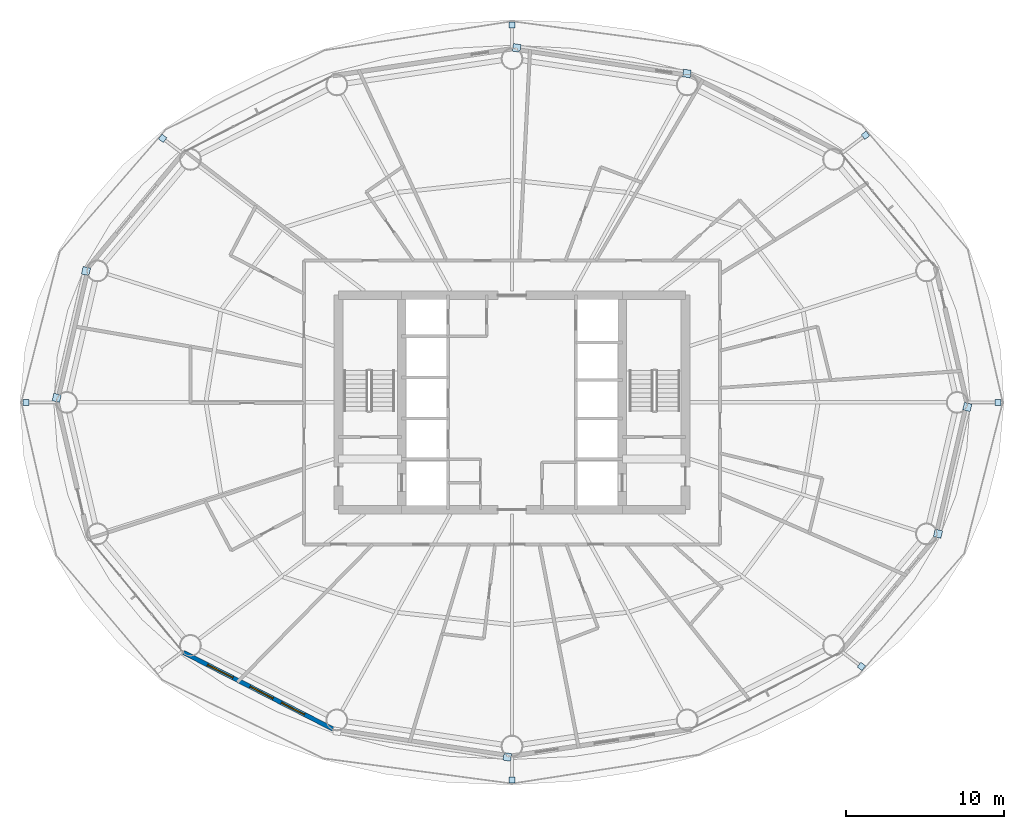
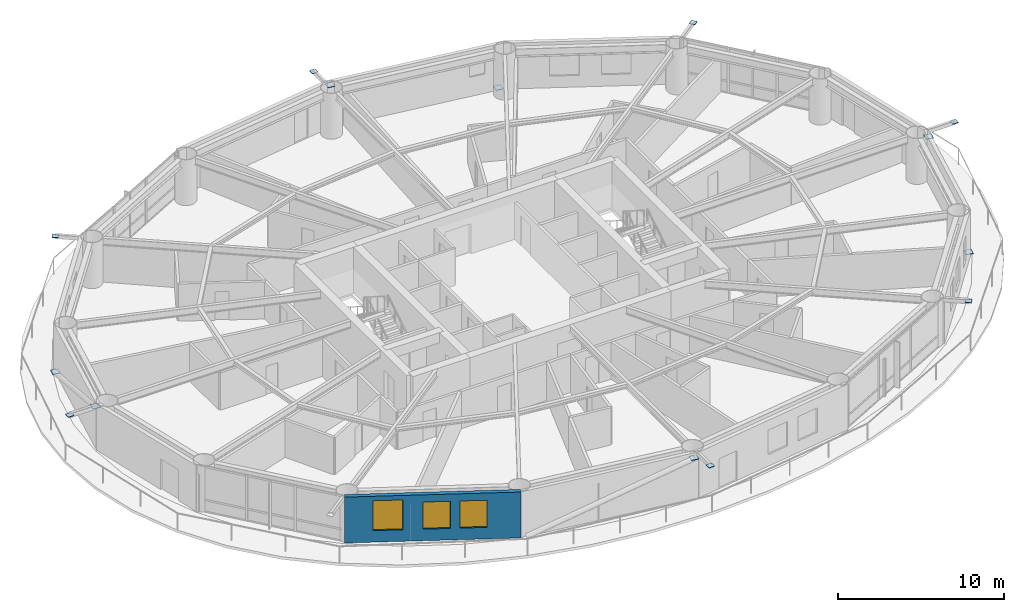
# One storey, part 17 of 24: 14 plates, 3 windows, 1 wall, 3 openings.
"""IFC4 building model written with IfcOpenShell, lengths in metres."""

from ifc_helpers import new_model, si_unit, direction, frame, frame_2d, origin, origin_2d, place, context, subcontext, project, spatial, rectangle, extrude, material, layer, layer_set, type_object, element, fill, save


model = new_model("IFC4")

# Units and contexts
model_context = context("Model", 3, precision=1e-05, world=origin(), true_north=direction((0.0, 1.0)))
body_context = subcontext(model_context, "Body", "Model", "MODEL_VIEW")
ifc_project = project(units=[si_unit("LENGTHUNIT", "METRE"), si_unit("AREAUNIT", "SQUARE_METRE"), si_unit("VOLUMEUNIT", "CUBIC_METRE"), si_unit("PLANEANGLEUNIT", "RADIAN"), si_unit("MASSUNIT", "GRAM", prefix="KILO")], contexts=[model_context])

# Site, building, storey
site_placement = place(None, origin())
site = spatial("IfcSite", under=ifc_project, at=site_placement, CompositionType="ELEMENT")
building_placement = place(site_placement, origin())
building = spatial("IfcBuilding", under=site, at=building_placement, Name="Sarneth Arch Tower", CompositionType="ELEMENT")
storey_placement = place(building_placement, frame((0.0, 0.0, 91.199951171875)))
storey = spatial("IfcBuildingStorey", under=building, at=storey_placement, Name="L22", CompositionType="ELEMENT", Elevation=91.199951171875)

# Plates
ifc_material_1 = material(Name="Steel S355", Category="steel")
ifc_layer_1 = layer(ifc_material_1, 0.035888671875)
ifc_layer_set_1 = layer_set([ifc_layer_1], Name="Steel S355")
plate_type = type_object("IfcPlateType", Name="PLT-GUSSET-30", PredefinedType="SHEET", material=ifc_layer_set_1)
for number, where, z_axis, x_axis, name in (
    (1, (78.833984375, 42.0, 3.2021484375), (0.0, 0.0, 1.0), (1.0, 0.0, 0.0), "Steel end cap plate GP-1"),
    (2, (70.42138671875, 58.9443359375, 3.2021484375), (0.0, 0.0, 1.0), (0.797794439539, 0.602929541689, 0.0), "Steel end cap plate GP-1"),
):
    element("IfcPlate", number, at=place(storey_placement, frame(where, z_axis=z_axis, x_axis=x_axis)), inside=storey, type_object=plate_type, Name=name, PredefinedType="SHEET", context=body_context, shape_type="SweptSolid", body=[
        extrude(rectangle(XDim=0.3798828125, YDim=0.3798828125, at=origin_2d()), origin(), (0.0, 0.0, 1.0), 0.035888671875),
    ])
for number, where, z_axis, x_axis, name in (
    (3, (59.0927734375, 62.859619140625, 0.001953125), (0.0, 0.0, 1.0), (-0.988860535448, 0.148845024885, 0.0), "Steel end cap plate GP-1"),
    (4, (48.296630859375, 64.4853515625, 2.99560546875), (0.0, 0.0, 1.0), (-0.988860535448, 0.148845024885, 0.0), "Steel end cap plate GP-1"),
):
    element("IfcPlate", number, at=place(storey_placement, frame(where, z_axis=z_axis, x_axis=x_axis)), inside=storey, type_object=plate_type, Name=name, PredefinedType="SHEET", context=body_context, shape_type="SweptSolid", body=[
        extrude(rectangle(XDim=0.486083984375, YDim=0.486083984375, at=origin_2d()), origin(), (0.0, 0.0, 1.0), 0.035888671875),
    ])
for number, where, z_axis, x_axis, name in (
    (5, (48.0, 65.95263671875, 3.2021484375), (0.0, 0.0, 1.0), (0.0, 1.0, 0.0), "Steel end cap plate GP-1"),
    (6, (25.83642578125, 58.74951171875, 3.2021484375), (0.0, 0.0, 1.0), (-0.797794439539, 0.602929541689, 0.0), "Steel end cap plate GP-1"),
):
    element("IfcPlate", number, at=place(storey_placement, frame(where, z_axis=z_axis, x_axis=x_axis)), inside=storey, type_object=plate_type, Name=name, PredefinedType="SHEET", context=body_context, shape_type="SweptSolid", body=[
        extrude(rectangle(XDim=0.3798828125, YDim=0.3798828125, at=origin_2d()), origin(), (0.0, 0.0, 1.0), 0.035888671875),
    ])
for number, where, z_axis, x_axis, name in (
    (7, (20.98046875, 50.32958984375, 0.001953125), (0.0, 0.0, 1.0), (-0.225291159947, -0.974291482694, 0.0), "Steel end cap plate GP-1"),
    (8, (19.121337890625, 42.292236328125, 2.99560546875), (0.0, 0.0, 1.0), (-0.225291159947, -0.974291482694, 0.0), "Steel end cap plate GP-1"),
):
    element("IfcPlate", number, at=place(storey_placement, frame(where, z_axis=z_axis, x_axis=x_axis)), inside=storey, type_object=plate_type, Name=name, PredefinedType="SHEET", context=body_context, shape_type="SweptSolid", body=[
        extrude(rectangle(XDim=0.486083984375, YDim=0.486083984375, at=origin_2d()), origin(), (0.0, 0.0, 1.0), 0.035888671875),
    ])
plate_1_placement = place(storey_placement, frame((17.166015625, 42.0, 3.2021484375), z_axis=(0.0, 0.0, 1.0), x_axis=(-1.0, 0.0, 0.0)))
element("IfcPlate", 9, at=plate_1_placement, inside=storey, type_object=plate_type, Name="Steel end cap plate GP-1", PredefinedType="SHEET", context=body_context, shape_type="SweptSolid", body=[
    extrude(rectangle(XDim=0.3798828125, YDim=0.3798828125, at=origin_2d()), origin(), (0.0, 0.0, 1.0), 0.035888671875),
])
plate_2_placement = place(storey_placement, frame((47.703369140625, 19.5146484375, 2.99560546875), z_axis=(0.0, 0.0, 1.0), x_axis=(0.988860535448, -0.148845024885, 0.0)))
element("IfcPlate", 10, at=plate_2_placement, inside=storey, type_object=plate_type, Name="Steel end cap plate GP-1", PredefinedType="SHEET", context=body_context, shape_type="SweptSolid", body=[
    extrude(rectangle(XDim=0.486083984375, YDim=0.486083984375, at=origin_2d()), origin(), (0.0, 0.0, 1.0), 0.035888671875),
])
for number, where, z_axis, x_axis, name in (
    (11, (48.0, 18.04736328125, 3.2021484375), (0.0, 0.0, 1.0), (0.0, -1.0, 0.0), "Steel end cap plate GP-1"),
    (12, (70.16357421875, 25.25048828125, 3.2021484375), (0.0, 0.0, 1.0), (0.797794439539, -0.602929541689, 0.0), "Steel end cap plate GP-1"),
):
    element("IfcPlate", number, at=place(storey_placement, frame(where, z_axis=z_axis, x_axis=x_axis)), inside=storey, type_object=plate_type, Name=name, PredefinedType="SHEET", context=body_context, shape_type="SweptSolid", body=[
        extrude(rectangle(XDim=0.3798828125, YDim=0.3798828125, at=origin_2d()), origin(), (0.0, 0.0, 1.0), 0.035888671875),
    ])
for number, where, z_axis, x_axis, name in (
    (13, (75.01953125, 33.67041015625, 0.001953125), (0.0, 0.0, 1.0), (0.225291159947, 0.974291482694, 0.0), "Steel end cap plate GP-1"),
    (14, (76.878662109375, 41.707763671875, 2.99560546875), (0.0, 0.0, 1.0), (0.225291159947, 0.974291482694, 0.0), "Steel end cap plate GP-1"),
):
    element("IfcPlate", number, at=place(storey_placement, frame(where, z_axis=z_axis, x_axis=x_axis)), inside=storey, type_object=plate_type, Name=name, PredefinedType="SHEET", context=body_context, shape_type="SweptSolid", body=[
        extrude(rectangle(XDim=0.486083984375, YDim=0.486083984375, at=origin_2d()), origin(), (0.0, 0.0, 1.0), 0.035888671875),
    ])

# Wall, openings, windows
ifc_material_2 = material(Name="Extruded terracotta rainscreen on Concrete C40/50 backing", Category="masonry")
ifc_layer_2 = layer(ifc_material_2, 0.280029296875)
ifc_layer_set_2 = layer_set([ifc_layer_2], Name="Extruded terracotta rainscreen on Concrete C40/50 backing")
wall_type = type_object("IfcWallType", Name="WALL-EXT-TERRA-280", PredefinedType="SOLIDWALL", material=ifc_layer_set_2)
wall_placement = place(storey_placement, frame((27.159912109375, 26.1396484375, 0.0), z_axis=(0.0, 0.0, 1.0), x_axis=(0.889959505023, -0.45603955905, 0.0)))
wall = element("IfcWall", 15, at=wall_placement, inside=storey, type_object=wall_type, Name="L22 Terracotta perimeter wall 11", PredefinedType="SOLIDWALL", context=body_context, shape_type="SweptSolid", body=[
    extrude(rectangle(XDim=10.662109375, YDim=0.280029296875, at=frame_2d((5.3310546875, 0.0))), origin(), (0.0, 0.0, 1.0), 3.380126953125),
])
opening_1_placement = place(wall_placement, frame((1.724365234375, 0.0, 0.85009765625)))
opening_1 = element("IfcOpeningElement", 16, at=opening_1_placement, cuts=wall, Name="Opening W-04", PredefinedType="OPENING", context=body_context, shape_type="SweptSolid", body=[
    extrude(rectangle(XDim=1.800048828125, YDim=2.199951171875, at=frame_2d((0.89990234375, 1.10009765625))), frame((0.0, 0.14990234375, 0.0), z_axis=(0.0, -1.0, 0.0), x_axis=(1.0, 0.0, 0.0)), (0.0, 0.0, 1.0), 0.300048828125),
])
opening_2_placement = place(wall_placement, frame((4.742431640625, 0.0, 0.85009765625)))
opening_2 = element("IfcOpeningElement", 17, at=opening_2_placement, cuts=wall, Name="Opening W-05", PredefinedType="OPENING", context=body_context, shape_type="SweptSolid", body=[
    extrude(rectangle(XDim=1.64990234375, YDim=2.0, at=frame_2d((0.824951171875, 1.0))), frame((0.0, 0.14990234375, 0.0), z_axis=(0.0, -1.0, 0.0), x_axis=(1.0, 0.0, 0.0)), (0.0, 0.0, 1.0), 0.300048828125),
])
opening_3_placement = place(wall_placement, frame((6.976806640625, 0.0, 0.85009765625)))
opening_3 = element("IfcOpeningElement", 18, at=opening_3_placement, cuts=wall, Name="Opening W-05", PredefinedType="OPENING", context=body_context, shape_type="SweptSolid", body=[
    extrude(rectangle(XDim=1.64990234375, YDim=2.0, at=frame_2d((0.824951171875, 1.0))), frame((0.0, 0.14990234375, 0.0), z_axis=(0.0, -1.0, 0.0), x_axis=(1.0, 0.0, 0.0)), (0.0, 0.0, 1.0), 0.300048828125),
])
ifc_material_3 = material(Name="Thermally broken Aluminium 6063-T6 and low-e laminated IGU", Category="aluminium")
window_type_1 = type_object("IfcWindowType", Name="WIN-TWR-1650x2000", PartitioningType="DOUBLE_PANEL_VERTICAL", PredefinedType="WINDOW", material=ifc_material_3)
window_1_placement = place(opening_2_placement, origin())
window_1 = element("IfcWindow", 19, at=window_1_placement, inside=storey, type_object=window_type_1, Name="L22 Exterior window 11B", OverallHeight=2.0, OverallWidth=1.64990234375, PartitioningType="SINGLE_PANEL", PredefinedType="WINDOW", context=body_context, shape_type="SweptSolid", body=[
    extrude(rectangle(XDim=1.64990234375, YDim=2.0, at=frame_2d((0.824951171875, 1.0))), frame((0.0, 0.030029296875, 0.0), z_axis=(0.0, -1.0, 0.0), x_axis=(1.0, 0.0, 0.0)), (0.0, 0.0, 1.0), 0.06005859375),
])
fill(opening_2, window_1)
window_2_placement = place(opening_3_placement, origin())
window_2 = element("IfcWindow", 20, at=window_2_placement, inside=storey, type_object=window_type_1, Name="L22 Exterior window 11C", OverallHeight=2.0, OverallWidth=1.64990234375, PartitioningType="SINGLE_PANEL", PredefinedType="WINDOW", context=body_context, shape_type="SweptSolid", body=[
    extrude(rectangle(XDim=1.64990234375, YDim=2.0, at=frame_2d((0.824951171875, 1.0))), frame((0.0, 0.030029296875, 0.0), z_axis=(0.0, -1.0, 0.0), x_axis=(1.0, 0.0, 0.0)), (0.0, 0.0, 1.0), 0.06005859375),
])
fill(opening_3, window_2)
ifc_material_4 = material(Name="Thermally broken Aluminium 6063-T6 and low-e laminated IGU", Category="aluminium")
window_type_2 = type_object("IfcWindowType", Name="WIN-TWR-1800x2200", PartitioningType="DOUBLE_PANEL_VERTICAL", PredefinedType="WINDOW", material=ifc_material_4)
window_3_placement = place(opening_1_placement, origin())
window_3 = element("IfcWindow", 21, at=window_3_placement, inside=storey, type_object=window_type_2, Name="L22 Exterior window 11A", OverallHeight=2.199951171875, OverallWidth=1.800048828125, PartitioningType="SINGLE_PANEL", PredefinedType="WINDOW", context=body_context, shape_type="SweptSolid", body=[
    extrude(rectangle(XDim=1.800048828125, YDim=2.199951171875, at=frame_2d((0.89990234375, 1.10009765625))), frame((0.0, 0.030029296875, 0.0), z_axis=(0.0, -1.0, 0.0), x_axis=(1.0, 0.0, 0.0)), (0.0, 0.0, 1.0), 0.06005859375),
])
fill(opening_1, window_3)

save(model, "model.ifc")
